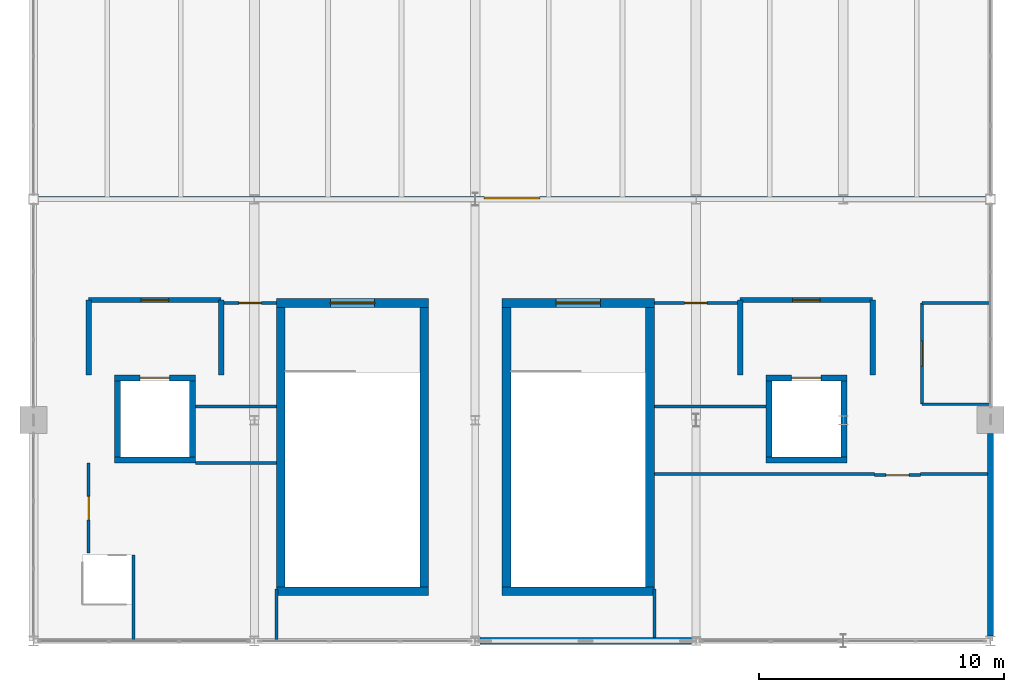
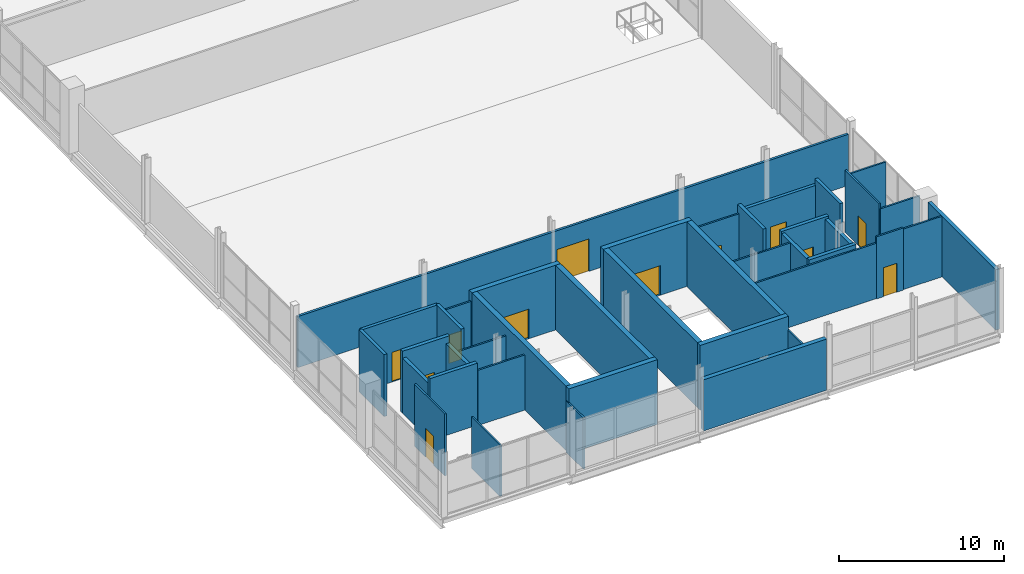
# One storey, part 24 of 29: 40 walls, 12 doors, 12 openings.
"""IFC4 building model written with IfcOpenShell, lengths in metres."""

from ifc_helpers import new_model, si_unit, direction, frame, frame_2d, origin, place, context, subcontext, project, spatial, rectangle, extrude, material, layer, layer_set, type_object, element, fill, save


model = new_model("IFC4")

# Units and contexts
model_context = context("Model", 3, precision=1e-05, world=origin(), true_north=direction((0.0, 1.0)))
body_context = subcontext(model_context, "Body", "Model", "MODEL_VIEW")
ifc_project = project(units=[si_unit("LENGTHUNIT", "METRE"), si_unit("AREAUNIT", "SQUARE_METRE"), si_unit("VOLUMEUNIT", "CUBIC_METRE"), si_unit("PLANEANGLEUNIT", "RADIAN"), si_unit("MASSUNIT", "GRAM", prefix="KILO")], contexts=[model_context])

# Site, building, storey
site_placement = place(None, origin())
site = spatial("IfcSite", under=ifc_project, at=site_placement, CompositionType="ELEMENT")
building_placement = place(site_placement, origin())
building = spatial("IfcBuilding", under=site, at=building_placement, Name="Qamarlyn Nura Convention Centre", CompositionType="ELEMENT")
storey_placement = place(building_placement, frame((0.0, 0.0, 25.199951171875)))
storey = spatial("IfcBuildingStorey", under=building, at=storey_placement, Name="L05", CompositionType="ELEMENT", Elevation=25.199951171875)

# Wall, opening, door
ifc_material_1 = material(Name="Fire-rated acoustic gypsum board and mineral wool EI 120")
ifc_layer_1 = layer(ifc_material_1, 0.219970703125, Name="WT-COMP-220")
ifc_layer_set_1 = layer_set([ifc_layer_1], Name="Fire-rated acoustic gypsum board and mineral wool EI 120")
wall_type_1 = type_object("IfcWallType", Name="WT-COMP-220", PredefinedType="SOLIDWALL", material=ifc_layer_set_1)
wall_1_placement = place(storey_placement, frame((155.25, 13.89990234375, 0.0), z_axis=(0.0, 0.0, 1.0), x_axis=(1.0, 0.0, 0.0)))
wall_1 = element("IfcWall", 1, at=wall_1_placement, inside=storey, type_object=wall_type_1, Name="L05 firefighting lobby barrier wall FFL-01-OPP", PredefinedType="SOLIDWALL", context=body_context, shape_type="SweptSolid", body=[
    extrude(rectangle(XDim=5.39990234375, YDim=0.219970703125, at=frame_2d((2.699951171875, 0.0))), origin(), (0.0, 0.0, 1.0), 4.60009765625),
])
opening_1_placement = place(wall_1_placement, frame((2.139892578125, 0.0, 0.0)))
opening_1 = element("IfcOpeningElement", 2, at=opening_1_placement, cuts=wall_1, Name="Opening DF-109", PredefinedType="OPENING", context=body_context, shape_type="SweptSolid", body=[
    extrude(rectangle(XDim=1.1201171875, YDim=2.199951171875, at=frame_2d((0.56005859375, 1.10009765625))), frame((0.0, 0.1201171875, 0.0), z_axis=(0.0, -1.0, 0.0), x_axis=(1.0, 0.0, 0.0)), (0.0, 0.0, 1.0), 0.239990234375),
])
ifc_material_2 = material(Name="Galvanised fire-rated hollow steel door", Category="steel")
door_type_1 = type_object("IfcDoorType", Name="DR-FFL-1120", OperationType="NOTDEFINED", PredefinedType="DOOR", material=ifc_material_2)
door_1_placement = place(opening_1_placement, origin())
door_1 = element("IfcDoor", 3, at=door_1_placement, inside=storey, type_object=door_type_1, Name="L05 firefighting lobby door FFL-01 (DF-109)", OperationType="SINGLE_SWING_LEFT", OverallHeight=2.199951171875, OverallWidth=1.1201171875, PredefinedType="DOOR", context=body_context, shape_type="SweptSolid", body=[
    extrude(rectangle(XDim=1.1201171875, YDim=2.199951171875, at=frame_2d((0.56005859375, 1.10009765625))), frame((0.0, 0.02490234375, 0.0), z_axis=(0.0, -1.0, 0.0), x_axis=(1.0, 0.0, 0.0)), (0.0, 0.0, 1.0), 0.050048828125),
])
fill(opening_1, door_1)

# Walls
for number, where, z_axis, x_axis, name in (
    (4, (155.25, 10.85009765625, 0.0), (0.0, 0.0, 1.0), (0.0, 1.0, 0.0), "L05 firefighting lobby barrier wall FFL-01-W"),
    (5, (160.64990234375, 10.85009765625, 0.0), (0.0, 0.0, 1.0), (0.0, 1.0, 0.0), "L05 firefighting lobby barrier wall FFL-01-E"),
):
    element("IfcWall", number, at=place(storey_placement, frame(where, z_axis=z_axis, x_axis=x_axis)), inside=storey, type_object=wall_type_1, Name=name, PredefinedType="SOLIDWALL", context=body_context, shape_type="SweptSolid", body=[
        extrude(rectangle(XDim=3.0498046875, YDim=0.219970703125, at=frame_2d((1.52490234375, 0.0))), origin(), (0.0, 0.0, 1.0), 4.60009765625),
    ])

# Wall, opening, door
wall_2_placement = place(storey_placement, frame((181.800048828125, 13.89990234375, 0.0), z_axis=(0.0, 0.0, 1.0), x_axis=(1.0, 0.0, 0.0)))
wall_2 = element("IfcWall", 6, at=wall_2_placement, inside=storey, type_object=wall_type_1, Name="L05 firefighting lobby barrier wall FFL-02-OPP", PredefinedType="SOLIDWALL", context=body_context, shape_type="SweptSolid", body=[
    extrude(rectangle(XDim=5.39990234375, YDim=0.219970703125, at=frame_2d((2.699951171875, 0.0))), origin(), (0.0, 0.0, 1.0), 4.174072265625),
])
opening_2_placement = place(wall_2_placement, frame((2.139892578125, 0.0, 0.0)))
opening_2 = element("IfcOpeningElement", 7, at=opening_2_placement, cuts=wall_2, Name="Opening DF-116", PredefinedType="OPENING", context=body_context, shape_type="SweptSolid", body=[
    extrude(rectangle(XDim=1.1201171875, YDim=2.199951171875, at=frame_2d((0.56005859375, 1.10009765625))), frame((0.0, 0.1201171875, 0.0), z_axis=(0.0, -1.0, 0.0), x_axis=(1.0, 0.0, 0.0)), (0.0, 0.0, 1.0), 0.239990234375),
])
door_2_placement = place(opening_2_placement, origin())
door_2 = element("IfcDoor", 8, at=door_2_placement, inside=storey, type_object=door_type_1, Name="L05 firefighting lobby door FFL-02 (DF-116)", OperationType="SINGLE_SWING_RIGHT", OverallHeight=2.199951171875, OverallWidth=1.1201171875, PredefinedType="DOOR", context=body_context, shape_type="SweptSolid", body=[
    extrude(rectangle(XDim=1.1201171875, YDim=2.199951171875, at=frame_2d((0.56005859375, 1.10009765625))), frame((0.0, 0.02490234375, 0.0), z_axis=(0.0, -1.0, 0.0), x_axis=(1.0, 0.0, 0.0)), (0.0, 0.0, 1.0), 0.050048828125),
])
fill(opening_2, door_2)

# Walls
for number, where, z_axis, x_axis, name in (
    (9, (181.800048828125, 10.85009765625, 0.0), (0.0, 0.0, 1.0), (0.0, 1.0, 0.0), "L05 firefighting lobby barrier wall FFL-02-W"),
    (10, (187.199951171875, 10.85009765625, 0.0), (0.0, 0.0, 1.0), (0.0, 1.0, 0.0), "L05 firefighting lobby barrier wall FFL-02-E"),
):
    element("IfcWall", number, at=place(storey_placement, frame(where, z_axis=z_axis, x_axis=x_axis)), inside=storey, type_object=wall_type_1, Name=name, PredefinedType="SOLIDWALL", context=body_context, shape_type="SweptSolid", body=[
        extrude(rectangle(XDim=3.0498046875, YDim=0.219970703125, at=frame_2d((1.52490234375, 0.0))), origin(), (0.0, 0.0, 1.0), 4.60009765625),
    ])
ifc_material_3 = material(Name="Concrete C50/60", Category="concrete")
ifc_layer_2 = layer(ifc_material_3, 0.35009765625, Name="WT-CORE-350")
ifc_layer_set_2 = layer_set([ifc_layer_2], Name="Concrete C50/60")
wall_type_2 = type_object("IfcWallType", Name="WT-CORE-350", PredefinedType="SHEAR", material=ifc_layer_set_2)
wall_3_placement = place(storey_placement, frame((162.89990234375, 2.02490234375, 0.0), z_axis=(0.0, 0.0, 1.0), x_axis=(1.0, 0.0, 0.0)))
element("IfcWall", 11, at=wall_3_placement, inside=storey, type_object=wall_type_2, Name="L05 stair core shear wall ST-09-S", PredefinedType="SHEAR", context=body_context, shape_type="SweptSolid", body=[
    extrude(rectangle(XDim=6.2001953125, YDim=0.35009765625, at=frame_2d((3.10009765625, 0.0))), origin(), (0.0, 0.0, 1.0), 4.800048828125),
])

# Wall, opening, door
wall_4_placement = place(storey_placement, frame((169.10009765625, 13.77490234375, 0.0), z_axis=(0.0, 0.0, 1.0), x_axis=(-1.0, 0.0, 0.0)))
wall_4 = element("IfcWall", 12, at=wall_4_placement, inside=storey, type_object=wall_type_2, Name="L05 stair core shear wall ST-09-N", PredefinedType="SHEAR", context=body_context, shape_type="SweptSolid", body=[
    extrude(rectangle(XDim=6.2001953125, YDim=0.35009765625, at=frame_2d((3.10009765625, 0.0))), origin(), (0.0, 0.0, 1.0), 4.800048828125),
])
opening_3_placement = place(wall_4_placement, frame((2.199951171875, 0.0, 0.0)))
opening_3 = element("IfcOpeningElement", 13, at=opening_3_placement, cuts=wall_4, Name="Opening DS-035", PredefinedType="OPENING", context=body_context, shape_type="SweptSolid", body=[
    extrude(rectangle(XDim=1.800048828125, YDim=2.199951171875, at=frame_2d((0.89990234375, 1.10009765625))), frame((0.0, 0.18505859375, 0.0), z_axis=(0.0, -1.0, 0.0), x_axis=(1.0, 0.0, 0.0)), (0.0, 0.0, 1.0), 0.3701171875),
])
door_type_2 = type_object("IfcDoorType", Name="DR-STAIR-1800", OperationType="DOUBLE_DOOR_SINGLE_SWING", PredefinedType="DOOR", material=ifc_material_2)
door_3_placement = place(opening_3_placement, origin())
door_3 = element("IfcDoor", 14, at=door_3_placement, inside=storey, type_object=door_type_2, Name="L05 exit stair door ST-09 (DS-035)", OperationType="DOUBLE_DOOR_SINGLE_SWING", OverallHeight=2.199951171875, OverallWidth=1.800048828125, PredefinedType="DOOR", context=body_context, shape_type="SweptSolid", body=[
    extrude(rectangle(XDim=1.800048828125, YDim=2.199951171875, at=frame_2d((0.89990234375, 1.10009765625))), frame((0.0, 0.02490234375, 0.0), z_axis=(0.0, -1.0, 0.0), x_axis=(1.0, 0.0, 0.0)), (0.0, 0.0, 1.0), 0.050048828125),
])
fill(opening_3, door_3)

# Walls
for number, where, z_axis, x_axis, name in (
    (15, (163.074951171875, 13.60009765625, 0.0), (0.0, 0.0, 1.0), (0.0, -1.0, 0.0), "L05 stair core shear wall ST-09-W"),
    (16, (168.925048828125, 2.199951171875, 0.0), (0.0, 0.0, 1.0), (0.0, 1.0, 0.0), "L05 stair core shear wall ST-09-E"),
):
    element("IfcWall", number, at=place(storey_placement, frame(where, z_axis=z_axis, x_axis=x_axis)), inside=storey, type_object=wall_type_2, Name=name, PredefinedType="SHEAR", context=body_context, shape_type="SweptSolid", body=[
        extrude(rectangle(XDim=11.400146484375, YDim=0.35009765625, at=frame_2d((5.7001953125, 0.0))), origin(), (0.0, 0.0, 1.0), 4.800048828125),
    ])
wall_5_placement = place(storey_placement, frame((172.10009765625, 2.02490234375, 0.0), z_axis=(0.0, 0.0, 1.0), x_axis=(1.0, 0.0, 0.0)))
element("IfcWall", 17, at=wall_5_placement, inside=storey, type_object=wall_type_2, Name="L05 stair core shear wall ST-10-S", PredefinedType="SHEAR", context=body_context, shape_type="SweptSolid", body=[
    extrude(rectangle(XDim=6.199951171875, YDim=0.35009765625, at=frame_2d((3.10009765625, 0.0))), origin(), (0.0, 0.0, 1.0), 4.800048828125),
])

# Wall, opening, door
wall_6_placement = place(storey_placement, frame((178.300048828125, 13.77490234375, 0.0), z_axis=(0.0, 0.0, 1.0), x_axis=(-1.0, 0.0, 0.0)))
wall_6 = element("IfcWall", 18, at=wall_6_placement, inside=storey, type_object=wall_type_2, Name="L05 stair core shear wall ST-10-N", PredefinedType="SHEAR", context=body_context, shape_type="SweptSolid", body=[
    extrude(rectangle(XDim=6.199951171875, YDim=0.35009765625, at=frame_2d((3.10009765625, 0.0))), origin(), (0.0, 0.0, 1.0), 4.800048828125),
])
opening_4_placement = place(wall_6_placement, frame((2.199951171875, 0.0, 0.0)))
opening_4 = element("IfcOpeningElement", 19, at=opening_4_placement, cuts=wall_6, Name="Opening DS-042", PredefinedType="OPENING", context=body_context, shape_type="SweptSolid", body=[
    extrude(rectangle(XDim=1.800048828125, YDim=2.199951171875, at=frame_2d((0.89990234375, 1.10009765625))), frame((0.0, 0.18505859375, 0.0), z_axis=(0.0, -1.0, 0.0), x_axis=(1.0, 0.0, 0.0)), (0.0, 0.0, 1.0), 0.3701171875),
])
door_4_placement = place(opening_4_placement, origin())
door_4 = element("IfcDoor", 20, at=door_4_placement, inside=storey, type_object=door_type_2, Name="L05 exit stair door ST-10 (DS-042)", OperationType="DOUBLE_DOOR_SINGLE_SWING", OverallHeight=2.199951171875, OverallWidth=1.800048828125, PredefinedType="DOOR", context=body_context, shape_type="SweptSolid", body=[
    extrude(rectangle(XDim=1.800048828125, YDim=2.199951171875, at=frame_2d((0.89990234375, 1.10009765625))), frame((0.0, 0.02490234375, 0.0), z_axis=(0.0, -1.0, 0.0), x_axis=(1.0, 0.0, 0.0)), (0.0, 0.0, 1.0), 0.050048828125),
])
fill(opening_4, door_4)

# Walls
for number, where, z_axis, x_axis, name in (
    (21, (172.27490234375, 13.60009765625, 0.0), (0.0, 0.0, 1.0), (0.0, -1.0, 0.0), "L05 stair core shear wall ST-10-W"),
    (22, (178.125, 2.199951171875, 0.0), (0.0, 0.0, 1.0), (0.0, 1.0, 0.0), "L05 stair core shear wall ST-10-E"),
):
    element("IfcWall", number, at=place(storey_placement, frame(where, z_axis=z_axis, x_axis=x_axis)), inside=storey, type_object=wall_type_2, Name=name, PredefinedType="SHEAR", context=body_context, shape_type="SweptSolid", body=[
        extrude(rectangle(XDim=11.400146484375, YDim=0.35009765625, at=frame_2d((5.7001953125, 0.0))), origin(), (0.0, 0.0, 1.0), 4.800048828125),
    ])
ifc_material_4 = material(Name="Concrete C40/50", Category="concrete")
ifc_layer_3 = layer(ifc_material_4, 0.260009765625, Name="WT-EXT-260")
ifc_layer_set_3 = layer_set([ifc_layer_3], Name="Concrete C40/50")
wall_type_3 = type_object("IfcWallType", Name="WT-EXT-260", PredefinedType="SOLIDWALL", material=ifc_layer_set_3)
wall_7_placement = place(storey_placement, frame((192.0, 8.449951171875, 0.0), z_axis=(0.0, 0.0, 1.0), x_axis=(0.0, -1.0, 0.0)))
element("IfcWall", 23, at=wall_7_placement, inside=storey, type_object=wall_type_3, Name="L05 exterior facade wall WEXT-L05-1920-84-1920-2", PredefinedType="SOLIDWALL", context=body_context, shape_type="SweptSolid", body=[
    extrude(rectangle(XDim=8.237548828125, YDim=0.260009765625, at=frame_2d((4.11865234375, 0.0))), origin(), (0.0, 0.0, 1.0), 4.485107421875),
])
ifc_material_5 = material(Name="Concrete C40/50 with UAE coastal limestone stone facing", Category="masonry")
ifc_layer_4 = layer(ifc_material_5, 0.300048828125, Name="WT-LIME-300")
ifc_layer_set_4 = layer_set([ifc_layer_4], Name="Concrete C40/50 with UAE coastal limestone stone facing")
wall_type_4 = type_object("IfcWallType", Name="WT-LIME-300", PredefinedType="SOLIDWALL", material=ifc_layer_set_4)
wall_8_placement = place(storey_placement, frame((179.8154296875, 0.0, 0.0), z_axis=(0.0, 0.0, 1.0), x_axis=(-1.0, 0.0, 0.0)))
element("IfcWall", 24, at=wall_8_placement, inside=storey, type_object=wall_type_4, Name="L05 exterior facade wall WEXT-L05-1798-0-1712-0", PredefinedType="SOLIDWALL", context=body_context, shape_type="SweptSolid", body=[
    extrude(rectangle(XDim=8.62841796875, YDim=0.300048828125, at=frame_2d((4.314208984375, 0.0))), origin(), (0.0, 0.0, 1.0), 3.7939453125),
])

# Wall, opening, door
ifc_material_6 = material(Name="Acoustic double-stud gypsum partition")
ifc_layer_5 = layer(ifc_material_6, 0.1201171875, Name="WT-PART-120")
ifc_layer_set_5 = layer_set([ifc_layer_5], Name="Acoustic double-stud gypsum partition")
wall_type_5 = type_object("IfcWallType", Name="WT-PART-120", PredefinedType="PARTITIONING", material=ifc_layer_set_5)
wall_9_placement = place(storey_placement, frame((160.760009765625, 13.77490234375, 0.0), z_axis=(0.0, 0.0, 1.0), x_axis=(1.0, 0.0, 0.0)))
wall_9 = element("IfcWall", 25, at=wall_9_placement, inside=storey, type_object=wall_type_5, Name="L05 interior partition L05-WC-M-L05-18-1", PredefinedType="PARTITIONING", context=body_context, shape_type="SweptSolid", body=[
    extrude(rectangle(XDim=2.139892578125, YDim=0.1201171875, at=frame_2d((1.06982421875, 0.0))), origin(), (0.0, 0.0, 1.0), 4.10107421875),
])
opening_5_placement = place(wall_9_placement, frame((0.610107421875, 0.0, 0.0)))
opening_5 = element("IfcOpeningElement", 26, at=opening_5_placement, cuts=wall_9, Name="Opening D-L05-215", PredefinedType="OPENING", context=body_context, shape_type="SweptSolid", body=[
    extrude(rectangle(XDim=0.919921875, YDim=2.1201171875, at=frame_2d((0.4599609375, 1.06005859375))), frame((0.0, 0.070068359375, 0.0), z_axis=(0.0, -1.0, 0.0), x_axis=(1.0, 0.0, 0.0)), (0.0, 0.0, 1.0), 0.14013671875),
])
ifc_material_7 = material(Name="Acoustic walnut timber leaf", Category="wood")
door_type_3 = type_object("IfcDoorType", Name="DR-WC-STD-092", OperationType="NOTDEFINED", PredefinedType="DOOR", material=ifc_material_7)
door_5_placement = place(opening_5_placement, origin())
door_5 = element("IfcDoor", 27, at=door_5_placement, inside=storey, type_object=door_type_3, Name="L05 Male WC L05 door D-L05-215", OperationType="SINGLE_SWING_RIGHT", OverallHeight=2.1201171875, OverallWidth=0.919921875, PredefinedType="DOOR", context=body_context, shape_type="SweptSolid", body=[
    extrude(rectangle(XDim=0.919921875, YDim=2.1201171875, at=frame_2d((0.4599609375, 1.06005859375))), frame((0.0, 0.02490234375, 0.0), z_axis=(0.0, -1.0, 0.0), x_axis=(1.0, 0.0, 0.0)), (0.0, 0.0, 1.0), 0.050048828125),
])
fill(opening_5, door_5)

# Wall
wall_10_placement = place(storey_placement, frame((162.89990234375, 9.550048828125, 0.0), z_axis=(0.0, 0.0, 1.0), x_axis=(-1.0, 0.0, 0.0)))
element("IfcWall", 28, at=wall_10_placement, inside=storey, type_object=wall_type_5, Name="L05 interior partition L05-WC-M-L05-24-1", PredefinedType="PARTITIONING", context=body_context, shape_type="SweptSolid", body=[
    extrude(rectangle(XDim=3.2998046875, YDim=0.1201171875, at=frame_2d((1.64990234375, 0.0))), origin(), (0.0, 0.0, 1.0), 4.10107421875),
])

# Wall, opening, door
wall_11_placement = place(storey_placement, frame((178.300048828125, 13.77490234375, 0.0), z_axis=(0.0, 0.0, 1.0), x_axis=(1.0, 0.0, 0.0)))
wall_11 = element("IfcWall", 29, at=wall_11_placement, inside=storey, type_object=wall_type_5, Name="L05 interior partition L05-WC-F-L05-1-1", PredefinedType="PARTITIONING", context=body_context, shape_type="SweptSolid", body=[
    extrude(rectangle(XDim=3.389892578125, YDim=0.1201171875, at=frame_2d((1.69482421875, 0.0))), origin(), (0.0, 0.0, 1.0), 4.011962890625),
])
opening_6_placement = place(wall_11_placement, frame((1.235107421875, 0.0, 0.0)))
opening_6 = element("IfcOpeningElement", 30, at=opening_6_placement, cuts=wall_11, Name="Opening D-L05-216", PredefinedType="OPENING", context=body_context, shape_type="SweptSolid", body=[
    extrude(rectangle(XDim=0.919921875, YDim=2.1201171875, at=frame_2d((0.4599609375, 1.06005859375))), frame((0.0, 0.070068359375, 0.0), z_axis=(0.0, -1.0, 0.0), x_axis=(1.0, 0.0, 0.0)), (0.0, 0.0, 1.0), 0.14013671875),
])
door_6_placement = place(opening_6_placement, origin())
door_6 = element("IfcDoor", 31, at=door_6_placement, inside=storey, type_object=door_type_3, Name="L05 Female WC L05 door D-L05-216", OperationType="SINGLE_SWING_LEFT", OverallHeight=2.1201171875, OverallWidth=0.919921875, PredefinedType="DOOR", context=body_context, shape_type="SweptSolid", body=[
    extrude(rectangle(XDim=0.919921875, YDim=2.1201171875, at=frame_2d((0.4599609375, 1.06005859375))), frame((0.0, 0.02490234375, 0.0), z_axis=(0.0, -1.0, 0.0), x_axis=(1.0, 0.0, 0.0)), (0.0, 0.0, 1.0), 0.050048828125),
])
fill(opening_6, door_6)

# Walls
wall_12_placement = place(storey_placement, frame((182.85009765625, 9.550048828125, 0.0), z_axis=(0.0, 0.0, 1.0), x_axis=(-1.0, 0.0, 0.0)))
element("IfcWall", 32, at=wall_12_placement, inside=storey, type_object=wall_type_5, Name="L05 interior partition L05-WC-F-L05-20-1", PredefinedType="PARTITIONING", context=body_context, shape_type="SweptSolid", body=[
    extrude(rectangle(XDim=4.550048828125, YDim=0.1201171875, at=frame_2d((2.27490234375, 0.0))), origin(), (0.0, 0.0, 1.0), 4.011962890625),
])
for number, where, z_axis, x_axis, name in (
    (33, (189.199951171875, 13.77490234375, 0.0), (0.0, 0.0, 1.0), (1.0, 0.0, 0.0), "L05 interior partition L05-WC-A-L05-1-1"),
    (34, (191.988037109375, 9.64990234375, 0.0), (0.0, 0.0, 1.0), (-1.0, 0.0, 0.0), "L05 interior partition L05-WC-A-L05-3-1"),
):
    element("IfcWall", number, at=place(storey_placement, frame(where, z_axis=z_axis, x_axis=x_axis)), inside=storey, type_object=wall_type_5, Name=name, PredefinedType="PARTITIONING", context=body_context, shape_type="SweptSolid", body=[
        extrude(rectangle(XDim=2.7880859375, YDim=0.1201171875, at=frame_2d((1.39404296875, 0.0))), origin(), (0.0, 0.0, 1.0), 4.24609375),
    ])

# Wall, opening, door
wall_13_placement = place(storey_placement, frame((189.199951171875, 9.64990234375, 0.0), z_axis=(0.0, 0.0, 1.0), x_axis=(0.0, 1.0, 0.0)))
wall_13 = element("IfcWall", 35, at=wall_13_placement, inside=storey, type_object=wall_type_5, Name="L05 interior partition L05-WC-A-L05-4-1", PredefinedType="PARTITIONING", context=body_context, shape_type="SweptSolid", body=[
    extrude(rectangle(XDim=4.125, YDim=0.1201171875, at=frame_2d((2.0625, 0.0))), origin(), (0.0, 0.0, 1.0), 4.60009765625),
])
opening_7_placement = place(wall_13_placement, frame((1.552490234375, 0.0, 0.0)))
opening_7 = element("IfcOpeningElement", 36, at=opening_7_placement, cuts=wall_13, Name="Opening D-L05-217", PredefinedType="OPENING", context=body_context, shape_type="SweptSolid", body=[
    extrude(rectangle(XDim=1.02001953125, YDim=2.159912109375, at=frame_2d((0.510009765625, 1.080078125))), frame((0.0, 0.070068359375, 0.0), z_axis=(0.0, -1.0, 0.0), x_axis=(1.0, 0.0, 0.0)), (0.0, 0.0, 1.0), 0.14013671875),
])
door_type_4 = type_object("IfcDoorType", Name="DR-WC-ACC-102", OperationType="NOTDEFINED", PredefinedType="DOOR", material=ifc_material_7)
door_7_placement = place(opening_7_placement, origin())
door_7 = element("IfcDoor", 37, at=door_7_placement, inside=storey, type_object=door_type_4, Name="L05 Accessible WC L05 door D-L05-217", OperationType="SINGLE_SWING_RIGHT", OverallHeight=2.159912109375, OverallWidth=1.02001953125, PredefinedType="DOOR", context=body_context, shape_type="SweptSolid", body=[
    extrude(rectangle(XDim=1.02001953125, YDim=2.159912109375, at=frame_2d((0.510009765625, 1.080078125))), frame((0.0, 0.02490234375, 0.0), z_axis=(0.0, -1.0, 0.0), x_axis=(1.0, 0.0, 0.0)), (0.0, 0.0, 1.0), 0.050048828125),
])
fill(opening_7, door_7)

# Walls
wall_14_placement = place(storey_placement, frame((159.60009765625, 7.25, 0.0), z_axis=(0.0, 0.0, 1.0), x_axis=(1.0, 0.0, 0.0)))
element("IfcWall", 38, at=wall_14_placement, inside=storey, type_object=wall_type_5, Name="L05 interior partition L05-VIP-PRV5-8-1", PredefinedType="PARTITIONING", context=body_context, shape_type="SweptSolid", body=[
    extrude(rectangle(XDim=3.2998046875, YDim=0.1201171875, at=frame_2d((1.64990234375, 0.0))), origin(), (0.0, 0.0, 1.0), 4.090087890625),
])
wall_15_placement = place(storey_placement, frame((162.89990234375, 2.117431640625, 0.0), z_axis=(0.0, 0.0, 1.0), x_axis=(0.0, -1.0, 0.0)))
element("IfcWall", 39, at=wall_15_placement, inside=storey, type_object=wall_type_5, Name="L05 interior partition L05-VIP-PRV5-13-1", PredefinedType="PARTITIONING", context=body_context, shape_type="SweptSolid", body=[
    extrude(rectangle(XDim=2.10546875, YDim=0.1201171875, at=frame_2d((1.052734375, 0.0))), origin(), (0.0, 0.0, 1.0), 3.7939453125),
])
wall_16_placement = place(storey_placement, frame((157.080078125, 0.011962890625, 0.0), z_axis=(0.0, 0.0, 1.0), x_axis=(0.0, 1.0, 0.0)))
element("IfcWall", 40, at=wall_16_placement, inside=storey, type_object=wall_type_5, Name="L05 interior partition L05-VIP-PRV5-33-1", PredefinedType="PARTITIONING", context=body_context, shape_type="SweptSolid", body=[
    extrude(rectangle(XDim=3.488037109375, YDim=0.1201171875, at=frame_2d((1.744140625, 0.0))), origin(), (0.0, 0.0, 1.0), 3.7939453125),
])

# Wall, opening, door
wall_17_placement = place(storey_placement, frame((155.25, 3.580078125, 0.0), z_axis=(0.0, 0.0, 1.0), x_axis=(0.0, 1.0, 0.0)))
wall_17 = element("IfcWall", 41, at=wall_17_placement, inside=storey, type_object=wall_type_5, Name="L05 interior partition L05-VIP-PRV5-51-1", PredefinedType="PARTITIONING", context=body_context, shape_type="SweptSolid", body=[
    extrude(rectangle(XDim=3.669921875, YDim=0.1201171875, at=frame_2d((1.8349609375, 0.0))), origin(), (0.0, 0.0, 1.0), 4.60009765625),
])
opening_8_placement = place(wall_17_placement, frame((1.35498046875, 0.0, 0.0)))
opening_8 = element("IfcOpeningElement", 42, at=opening_8_placement, cuts=wall_17, Name="Opening D-L05-218", PredefinedType="OPENING", context=body_context, shape_type="SweptSolid", body=[
    extrude(rectangle(XDim=0.9599609375, YDim=2.14990234375, at=frame_2d((0.47998046875, 1.074951171875))), frame((0.0, 0.070068359375, 0.0), z_axis=(0.0, -1.0, 0.0), x_axis=(1.0, 0.0, 0.0)), (0.0, 0.0, 1.0), 0.14013671875),
])
door_type_5 = type_object("IfcDoorType", Name="DR-ROOM-0960", OperationType="NOTDEFINED", PredefinedType="DOOR", material=ifc_material_7)
door_8_placement = place(opening_8_placement, origin())
door_8 = element("IfcDoor", 43, at=door_8_placement, inside=storey, type_object=door_type_5, Name="L05 Private Reception Salon 502 door D-L05-218", OperationType="SINGLE_SWING_LEFT", OverallHeight=2.14990234375, OverallWidth=0.9599609375, PredefinedType="DOOR", context=body_context, shape_type="SweptSolid", body=[
    extrude(rectangle(XDim=0.9599609375, YDim=2.14990234375, at=frame_2d((0.47998046875, 1.074951171875))), frame((0.0, 0.02490234375, 0.0), z_axis=(0.0, -1.0, 0.0), x_axis=(1.0, 0.0, 0.0)), (0.0, 0.0, 1.0), 0.050048828125),
])
fill(opening_8, door_8)

# Wall
wall_18_placement = place(storey_placement, frame((178.300048828125, 6.800048828125, 0.0), z_axis=(0.0, 0.0, 1.0), x_axis=(1.0, 0.0, 0.0)))
element("IfcWall", 44, at=wall_18_placement, inside=storey, type_object=wall_type_5, Name="L05 interior partition L05-VIP-DIN5-5-1", PredefinedType="PARTITIONING", context=body_context, shape_type="SweptSolid", body=[
    extrude(rectangle(XDim=8.969970703125, YDim=0.1201171875, at=frame_2d((4.48486328125, 0.0))), origin(), (0.0, 0.0, 1.0), 4.10107421875),
])

# Wall, opening, door
wall_19_placement = place(storey_placement, frame((187.27001953125, 6.760009765625, 0.0), z_axis=(0.0, 0.0, 1.0), x_axis=(1.0, 0.0, 0.0)))
wall_19 = element("IfcWall", 45, at=wall_19_placement, inside=storey, type_object=wall_type_5, Name="L05 interior partition L05-VIP-DIN5-22-1", PredefinedType="PARTITIONING", context=body_context, shape_type="SweptSolid", body=[
    extrude(rectangle(XDim=1.8798828125, YDim=0.1201171875, at=frame_2d((0.93994140625, 0.0))), origin(), (0.0, 0.0, 1.0), 4.60009765625),
])
opening_9_placement = place(wall_19_placement, frame((0.469970703125, 0.0, 0.0)))
opening_9 = element("IfcOpeningElement", 46, at=opening_9_placement, cuts=wall_19, Name="Opening D-L05-219", PredefinedType="OPENING", context=body_context, shape_type="SweptSolid", body=[
    extrude(rectangle(XDim=0.93994140625, YDim=2.14990234375, at=frame_2d((0.469970703125, 1.074951171875))), frame((0.0, 0.070068359375, 0.0), z_axis=(0.0, -1.0, 0.0), x_axis=(1.0, 0.0, 0.0)), (0.0, 0.0, 1.0), 0.14013671875),
])
door_type_6 = type_object("IfcDoorType", Name="DR-ROOM-0940", OperationType="NOTDEFINED", PredefinedType="DOOR", material=ifc_material_7)
door_9_placement = place(opening_9_placement, origin())
door_9 = element("IfcDoor", 47, at=door_9_placement, inside=storey, type_object=door_type_6, Name="L05 VIP Dining Salon door D-L05-219", OperationType="SINGLE_SWING_RIGHT", OverallHeight=2.14990234375, OverallWidth=0.93994140625, PredefinedType="DOOR", context=body_context, shape_type="SweptSolid", body=[
    extrude(rectangle(XDim=0.93994140625, YDim=2.14990234375, at=frame_2d((0.469970703125, 1.074951171875))), frame((0.0, 0.02490234375, 0.0), z_axis=(0.0, -1.0, 0.0), x_axis=(1.0, 0.0, 0.0)), (0.0, 0.0, 1.0), 0.050048828125),
])
fill(opening_9, door_9)

# Walls
wall_20_placement = place(storey_placement, frame((189.14990234375, 6.800048828125, 0.0), z_axis=(0.0, 0.0, 1.0), x_axis=(1.0, 0.0, 0.0)))
element("IfcWall", 48, at=wall_20_placement, inside=storey, type_object=wall_type_5, Name="L05 interior partition L05-VIP-DIN5-39-1", PredefinedType="PARTITIONING", context=body_context, shape_type="SweptSolid", body=[
    extrude(rectangle(XDim=2.72021484375, YDim=0.1201171875, at=frame_2d((1.360107421875, 0.0))), origin(), (0.0, 0.0, 1.0), 4.485107421875),
])
wall_21_placement = place(storey_placement, frame((178.300048828125, 0.14990234375, 0.0), z_axis=(0.0, 0.0, 1.0), x_axis=(0.0, 1.0, 0.0)))
element("IfcWall", 49, at=wall_21_placement, inside=storey, type_object=wall_type_5, Name="L05 interior partition L05-VIP-DIN5-42-1", PredefinedType="PARTITIONING", context=body_context, shape_type="SweptSolid", body=[
    extrude(rectangle(XDim=1.967529296875, YDim=0.1201171875, at=frame_2d((0.98388671875, 0.0))), origin(), (0.0, 0.0, 1.0), 3.7939453125),
])

# Wall, opening, door
ifc_material_8 = material(Name="Fire-rated acoustic gypsum board EI 60")
ifc_layer_6 = layer(ifc_material_8, 0.159912109375, Name="WT-PART-160")
ifc_layer_set_6 = layer_set([ifc_layer_6], Name="Fire-rated acoustic gypsum board EI 60")
wall_type_6 = type_object("IfcWallType", Name="WT-PART-160", PredefinedType="PARTITIONING", material=ifc_layer_set_6)
wall_22_placement = place(storey_placement, frame((191.7900390625, 18.0400390625, 0.0), z_axis=(0.0, 0.0, 1.0), x_axis=(-1.0, 0.0, 0.0)))
wall_22 = element("IfcWall", 50, at=wall_22_placement, inside=storey, type_object=wall_type_6, Name="L05 interior partition L05-FRM-CONG-3-1", PredefinedType="PARTITIONING", context=body_context, shape_type="SweptSolid", body=[
    extrude(rectangle(XDim=38.580078125, YDim=0.159912109375, at=frame_2d((19.2900390625, 0.0))), origin(), (0.0, 0.0, 1.0), 3.7939453125),
])
opening_10_placement = place(wall_22_placement, frame((18.1650390625, 0.0, 0.0)))
opening_10 = element("IfcOpeningElement", 51, at=opening_10_placement, cuts=wall_22, Name="Opening D-L05-223", PredefinedType="OPENING", context=body_context, shape_type="SweptSolid", body=[
    extrude(rectangle(XDim=2.25, YDim=2.39990234375, at=frame_2d((1.125, 1.199951171875))), frame((0.0, 0.08984375, 0.0), z_axis=(0.0, -1.0, 0.0), x_axis=(1.0, 0.0, 0.0)), (0.0, 0.0, 1.0), 0.179931640625),
])
door_type_7 = type_object("IfcDoorType", Name="DR-HALL-2250", OperationType="DOUBLE_DOOR_SINGLE_SWING", PredefinedType="DOOR", material=ifc_material_7)
door_10_placement = place(opening_10_placement, origin())
door_10 = element("IfcDoor", 52, at=door_10_placement, inside=storey, type_object=door_type_7, Name="L05 Congress Forum Hall door D-L05-223", OperationType="DOUBLE_DOOR_SINGLE_SWING", OverallHeight=2.39990234375, OverallWidth=2.25, PredefinedType="DOOR", context=body_context, shape_type="SweptSolid", body=[
    extrude(rectangle(XDim=2.25, YDim=2.39990234375, at=frame_2d((1.125, 1.199951171875))), frame((0.0, 0.02490234375, 0.0), z_axis=(0.0, -1.0, 0.0), x_axis=(1.0, 0.0, 0.0)), (0.0, 0.0, 1.0), 0.050048828125),
])
fill(opening_10, door_10)

# Wall
ifc_layer_7 = layer(ifc_material_1, 0.25, Name="WT-SHAFT-250")
ifc_layer_set_7 = layer_set([ifc_layer_7], Name="Fire-rated acoustic gypsum board and mineral wool EI 120")
wall_type_7 = type_object("IfcWallType", Name="WT-SHAFT-250", PredefinedType="SOLIDWALL", material=ifc_layer_set_7)
wall_23_placement = place(storey_placement, frame((156.300048828125, 7.375, 0.0), z_axis=(0.0, 0.0, 1.0), x_axis=(1.0, 0.0, 0.0)))
element("IfcWall", 53, at=wall_23_placement, inside=storey, type_object=wall_type_7, Name="L05 lift shaft enclosure wall FFL-01 -y", PredefinedType="SOLIDWALL", context=body_context, shape_type="SweptSolid", body=[
    extrude(rectangle(XDim=3.300048828125, YDim=0.25, at=frame_2d((1.64990234375, 0.0))), origin(), (0.0, 0.0, 1.0), 4.60009765625),
])

# Wall, opening, door
wall_24_placement = place(storey_placement, frame((159.60009765625, 10.72509765625, 0.0), z_axis=(0.0, 0.0, 1.0), x_axis=(-1.0, 0.0, 0.0)))
wall_24 = element("IfcWall", 54, at=wall_24_placement, inside=storey, type_object=wall_type_7, Name="L05 lift shaft enclosure wall FFL-01 +y", PredefinedType="SOLIDWALL", context=body_context, shape_type="SweptSolid", body=[
    extrude(rectangle(XDim=3.300048828125, YDim=0.25, at=frame_2d((1.64990234375, 0.0))), origin(), (0.0, 0.0, 1.0), 4.60009765625),
])
opening_11_placement = place(wall_24_placement, frame((1.050048828125, 0.0, 0.0)))
opening_11 = element("IfcOpeningElement", 55, at=opening_11_placement, cuts=wall_24, Name="Opening LD-FFL-01-L05", PredefinedType="OPENING", context=body_context, shape_type="SweptSolid", body=[
    extrude(rectangle(XDim=1.199951171875, YDim=2.25, at=frame_2d((0.60009765625, 1.125))), frame((0.0, 0.135009765625, 0.0), z_axis=(0.0, -1.0, 0.0), x_axis=(1.0, 0.0, 0.0)), (0.0, 0.0, 1.0), 0.27001953125),
])
ifc_material_9 = material(Name="Marine Grade 316 stainless steel", Category="steel")
door_type_8 = type_object("IfcDoorType", Name="DR-LD-FFL", OperationType="DOUBLE_DOOR_SLIDING", PredefinedType="DOOR", material=ifc_material_9)
door_11_placement = place(opening_11_placement, origin())
door_11 = element("IfcDoor", 56, at=door_11_placement, inside=storey, type_object=door_type_8, Name="Lift landing door LD-FFL-01-L05", OperationType="DOUBLE_DOOR_SLIDING", OverallHeight=2.25, OverallWidth=1.199951171875, PredefinedType="DOOR", context=body_context, shape_type="SweptSolid", body=[
    extrude(rectangle(XDim=1.199951171875, YDim=2.25, at=frame_2d((0.60009765625, 1.125))), frame((0.0, 0.02490234375, 0.0), z_axis=(0.0, -1.0, 0.0), x_axis=(1.0, 0.0, 0.0)), (0.0, 0.0, 1.0), 0.050048828125),
])
fill(opening_11, door_11)

# Walls
for number, where, z_axis, x_axis, name in (
    (57, (156.425048828125, 10.60009765625, 0.0), (0.0, 0.0, 1.0), (0.0, -1.0, 0.0), "L05 lift shaft enclosure wall FFL-01 -x"),
    (58, (159.47509765625, 7.5, 0.0), (0.0, 0.0, 1.0), (0.0, 1.0, 0.0), "L05 lift shaft enclosure wall FFL-01 +x"),
):
    element("IfcWall", number, at=place(storey_placement, frame(where, z_axis=z_axis, x_axis=x_axis)), inside=storey, type_object=wall_type_7, Name=name, PredefinedType="SOLIDWALL", context=body_context, shape_type="SweptSolid", body=[
        extrude(rectangle(XDim=3.10009765625, YDim=0.25, at=frame_2d((1.550048828125, 0.0))), origin(), (0.0, 0.0, 1.0), 4.090087890625),
    ])
wall_25_placement = place(storey_placement, frame((182.85009765625, 7.375, 0.0), z_axis=(0.0, 0.0, 1.0), x_axis=(1.0, 0.0, 0.0)))
element("IfcWall", 59, at=wall_25_placement, inside=storey, type_object=wall_type_7, Name="L05 lift shaft enclosure wall FFL-02 -y", PredefinedType="SOLIDWALL", context=body_context, shape_type="SweptSolid", body=[
    extrude(rectangle(XDim=3.2998046875, YDim=0.25, at=frame_2d((1.64990234375, 0.0))), origin(), (0.0, 0.0, 1.0), 4.10107421875),
])

# Wall, opening, door
wall_26_placement = place(storey_placement, frame((186.14990234375, 10.72509765625, 0.0), z_axis=(0.0, 0.0, 1.0), x_axis=(-1.0, 0.0, 0.0)))
wall_26 = element("IfcWall", 60, at=wall_26_placement, inside=storey, type_object=wall_type_7, Name="L05 lift shaft enclosure wall FFL-02 +y", PredefinedType="SOLIDWALL", context=body_context, shape_type="SweptSolid", body=[
    extrude(rectangle(XDim=3.2998046875, YDim=0.25, at=frame_2d((1.64990234375, 0.0))), origin(), (0.0, 0.0, 1.0), 4.174072265625),
])
opening_12_placement = place(wall_26_placement, frame((1.050048828125, 0.0, 0.0)))
opening_12 = element("IfcOpeningElement", 61, at=opening_12_placement, cuts=wall_26, Name="Opening LD-FFL-02-L05", PredefinedType="OPENING", context=body_context, shape_type="SweptSolid", body=[
    extrude(rectangle(XDim=1.199951171875, YDim=2.25, at=frame_2d((0.60009765625, 1.125))), frame((0.0, 0.135009765625, 0.0), z_axis=(0.0, -1.0, 0.0), x_axis=(1.0, 0.0, 0.0)), (0.0, 0.0, 1.0), 0.27001953125),
])
door_12_placement = place(opening_12_placement, origin())
door_12 = element("IfcDoor", 62, at=door_12_placement, inside=storey, type_object=door_type_8, Name="Lift landing door LD-FFL-02-L05", OperationType="DOUBLE_DOOR_SLIDING", OverallHeight=2.25, OverallWidth=1.199951171875, PredefinedType="DOOR", context=body_context, shape_type="SweptSolid", body=[
    extrude(rectangle(XDim=1.199951171875, YDim=2.25, at=frame_2d((0.60009765625, 1.125))), frame((0.0, 0.02490234375, 0.0), z_axis=(0.0, -1.0, 0.0), x_axis=(1.0, 0.0, 0.0)), (0.0, 0.0, 1.0), 0.050048828125),
])
fill(opening_12, door_12)

# Walls
for number, where, z_axis, x_axis, name in (
    (63, (182.97509765625, 10.60009765625, 0.0), (0.0, 0.0, 1.0), (0.0, -1.0, 0.0), "L05 lift shaft enclosure wall FFL-02 -x"),
    (64, (186.02490234375, 7.5, 0.0), (0.0, 0.0, 1.0), (0.0, 1.0, 0.0), "L05 lift shaft enclosure wall FFL-02 +x"),
):
    element("IfcWall", number, at=place(storey_placement, frame(where, z_axis=z_axis, x_axis=x_axis)), inside=storey, type_object=wall_type_7, Name=name, PredefinedType="SOLIDWALL", context=body_context, shape_type="SweptSolid", body=[
        extrude(rectangle(XDim=3.10009765625, YDim=0.25, at=frame_2d((1.550048828125, 0.0))), origin(), (0.0, 0.0, 1.0), 4.011962890625),
    ])

save(model, "model.ifc")
